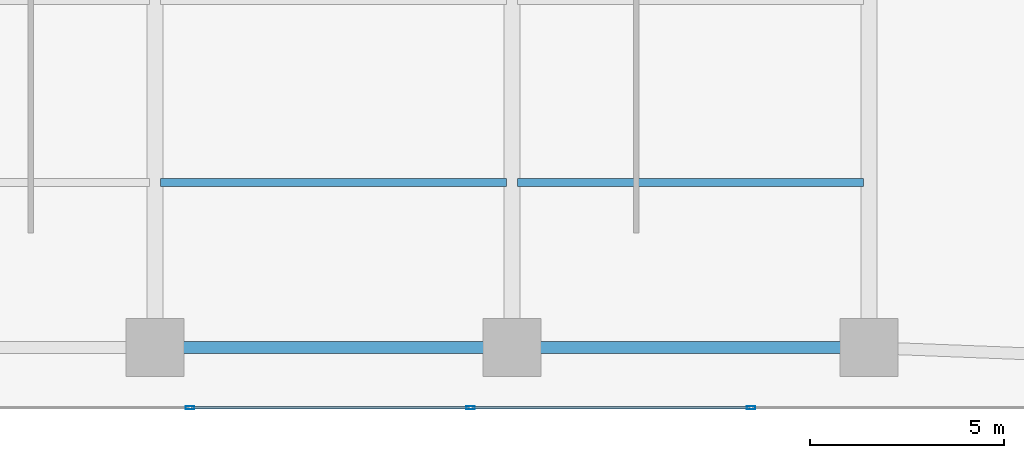
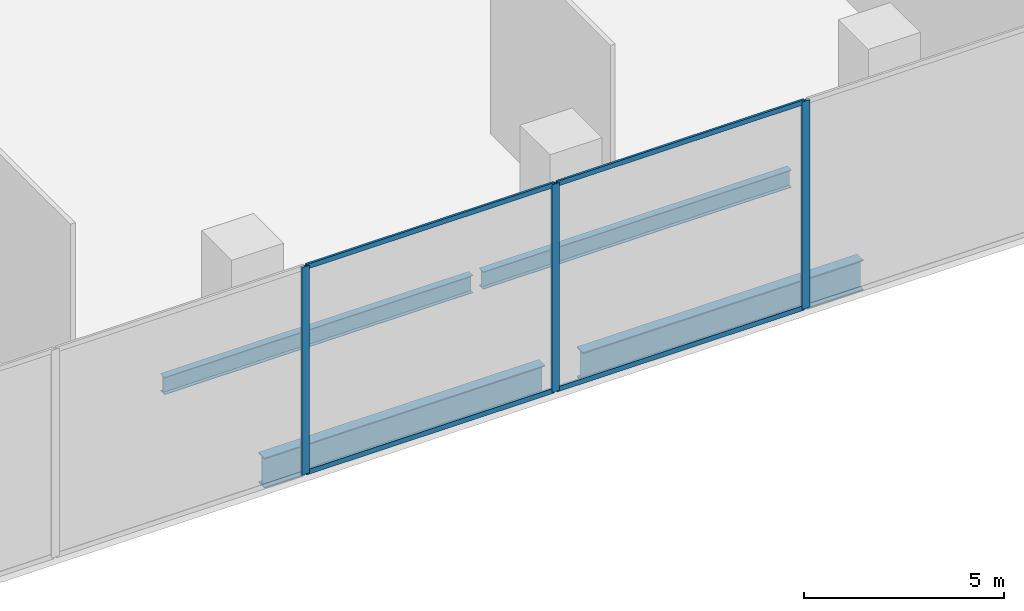
# One storey, part 8 of 30: 7 members, 4 beams, 1 element without a shape of its own.
"""IFC4 building model written with IfcOpenShell, lengths in metres."""

from ifc_helpers import new_model, si_unit, direction, frame, origin, origin_2d, place, context, subcontext, project, spatial, hollow_rectangle, i_section, extrude, material, layer, layer_set, material_profile, profile_set, type_object, element, aggregate, save


model = new_model("IFC4")

# Units and contexts
model_context = context("Model", 3, precision=1e-05, world=origin(), true_north=direction((0.0, 1.0)))
body_context = subcontext(model_context, "Body", "Model", "MODEL_VIEW")
ifc_project = project(units=[si_unit("LENGTHUNIT", "METRE"), si_unit("AREAUNIT", "SQUARE_METRE"), si_unit("VOLUMEUNIT", "CUBIC_METRE"), si_unit("PLANEANGLEUNIT", "RADIAN"), si_unit("MASSUNIT", "GRAM", prefix="KILO")], contexts=[model_context])

# Site, building, storey
site_placement = place(None, origin())
site = spatial("IfcSite", under=ifc_project, at=site_placement, CompositionType="ELEMENT")
building_placement = place(site_placement, origin())
building = spatial("IfcBuilding", under=site, at=building_placement, Name="Zuhayl Quay Hotel", CompositionType="ELEMENT")
storey_placement = place(building_placement, frame((0.0, 0.0, 11.39990234375)))
storey = spatial("IfcBuildingStorey", under=building, at=storey_placement, Name="L02", CompositionType="ELEMENT", Elevation=11.39990234375)

# Beams
ifc_material_1 = material(Name="Steel ASTM A992 Grade 50", Category="steel")
ifc_material_profile_1 = material_profile(ifc_material_1, i_section(OverallWidth=0.208984375, OverallDepth=0.532958984375, WebThickness=0.01025390625, FlangeThickness=0.015625, at=origin_2d()), Name="W21X62")
ifc_profile_set_1 = profile_set([ifc_material_profile_1], Name="Steel ASTM A992 Grade 50")
beam_type_1 = type_object("IfcBeamType", Name="BM_J1_W21X62", PredefinedType="JOIST", material=ifc_profile_set_1)
beam_1_placement = place(storey_placement, frame((-4.45458984375, -18.199951171875, -0.5263671875), z_axis=(1.0, 0.0, 0.0), x_axis=(0.0, 1.0, 0.0)))
element("IfcBeam", 1, at=beam_1_placement, inside=storey, type_object=beam_type_1, Name="L02 Floor Beam J_POD_L02_1_2", PredefinedType="JOIST", context=body_context, shape_type="SweptSolid", body=[
    extrude(i_section(OverallWidth=0.208984375, OverallDepth=0.532958984375, WebThickness=0.01025390625, FlangeThickness=0.015625, at=origin_2d()), origin(), (0.0, 0.0, 1.0), 8.9091796875),
])
beam_2_placement = place(storey_placement, frame((4.74560546875, -18.199951171875, -0.5263671875), z_axis=(1.0, 0.0, 0.0), x_axis=(0.0, 1.0, 0.0)))
element("IfcBeam", 2, at=beam_2_placement, inside=storey, type_object=beam_type_1, Name="L02 Floor Beam J_POD_L02_1_3", PredefinedType="JOIST", context=body_context, shape_type="SweptSolid", body=[
    extrude(i_section(OverallWidth=0.208984375, OverallDepth=0.532958984375, WebThickness=0.01025390625, FlangeThickness=0.015625, at=origin_2d()), origin(), (0.0, 0.0, 1.0), 8.908935546875),
])
ifc_material_profile_2 = material_profile(ifc_material_1, i_section(OverallWidth=0.306884765625, OverallDepth=0.927001953125, WebThickness=0.019287109375, FlangeThickness=0.031982421875, at=origin_2d()), Name="W36X194")
ifc_profile_set_2 = profile_set([ifc_material_profile_2], Name="Steel ASTM A992 Grade 50")
beam_type_2 = type_object("IfcBeamType", Name="BM_PG2_W36X194", PredefinedType="BEAM", material=ifc_profile_set_2)
for number, where, z_axis, x_axis, name in (
    (3, (-4.050048828125, -22.449951171875, -0.723388671875), (1.0, 0.0, 0.0), (0.0, 1.0, 0.0), "L02 Floor Beam PG_S_L02_2"),
    (4, (5.14990234375, -22.449951171875, -0.723388671875), (1.0, 0.0, 0.0), (0.0, 1.0, 0.0), "L02 Floor Beam PG_S_L02_3"),
):
    element("IfcBeam", number, at=place(storey_placement, frame(where, z_axis=z_axis, x_axis=x_axis)), inside=storey, type_object=beam_type_2, Name=name, PredefinedType="BEAM", context=body_context, shape_type="SweptSolid", body=[
        extrude(i_section(OverallWidth=0.306884765625, OverallDepth=0.927001953125, WebThickness=0.019287109375, FlangeThickness=0.031982421875, at=origin_2d()), origin(), (0.0, 0.0, 1.0), 8.10009765625),
    ])

# Curtain wall, members
ifc_material_2 = material(Name="Anodised Aluminium 6063-T6", Category="aluminium")
ifc_layer = layer(ifc_material_2, 0.199951171875, Name="Anodised Aluminium 6063-T6", Category="aluminium")
ifc_layer_set = layer_set([ifc_layer], Name="Anodised Aluminium 6063-T6")
curtain_wall_type = type_object("IfcCurtainWallType", Name="CW_SYS_POD", PredefinedType="USERDEFINED", material=ifc_layer_set)
curtain_wall_placement = place(storey_placement, origin())
curtain_wall = element("IfcCurtainWall", 5, at=curtain_wall_placement, inside=storey, type_object=curtain_wall_type, Name="L02 Curtain Wall ENV_L02_E11_CW2", ObjectType="UNITISED CURTAIN WALL", PredefinedType="USERDEFINED")
ifc_material_3 = material(Name="Black-anodised aluminium 6063-T6", Category="aluminium")
ifc_material_profile_3 = material_profile(ifc_material_3, hollow_rectangle(XDim=0.074951171875, YDim=0.219970703125, WallThickness=0.00390625, at=origin_2d()), Name="ALU220X75")
ifc_profile_set_3 = profile_set([ifc_material_profile_3], Name="Black-anodised aluminium 6063-T6")
member_type_1 = type_object("IfcMemberType", Name="MB_CW_MUL_220", PredefinedType="MULLION", material=ifc_profile_set_3)
member_1_placement = place(storey_placement, frame((10.761962890625, -24.0, 0.0), z_axis=(0.0, 0.0, 1.0), x_axis=(0.0, -1.0, 0.0)))
member_1 = element("IfcMember", 6, at=member_1_placement, type_object=member_type_1, Name="CW-POD mullion 2", PredefinedType="MULLION", context=body_context, shape_type="SweptSolid", body=[
    extrude(hollow_rectangle(XDim=0.074951171875, YDim=0.219970703125, WallThickness=0.00390625, at=origin_2d()), origin(), (0.0, 0.0, 1.0), 6.340087890625),
])
member_2_placement = place(storey_placement, frame((3.533935546875, -24.0, 0.0), z_axis=(0.0, 0.0, 1.0), x_axis=(0.0, -1.0, 0.0)))
member_2 = element("IfcMember", 7, at=member_2_placement, type_object=member_type_1, Name="CW-POD mullion 3", PredefinedType="MULLION", context=body_context, shape_type="SweptSolid", body=[
    extrude(hollow_rectangle(XDim=0.074951171875, YDim=0.219970703125, WallThickness=0.00390625, at=origin_2d()), origin(), (0.0, 0.0, 1.0), 6.340087890625),
])
member_3_placement = place(storey_placement, frame((-3.694091796875, -24.0, 0.0), z_axis=(0.0, 0.0, 1.0), x_axis=(0.0, -1.0, 0.0)))
member_3 = element("IfcMember", 8, at=member_3_placement, type_object=member_type_1, Name="CW-POD mullion 4", PredefinedType="MULLION", context=body_context, shape_type="SweptSolid", body=[
    extrude(hollow_rectangle(XDim=0.074951171875, YDim=0.219970703125, WallThickness=0.00390625, at=origin_2d()), origin(), (0.0, 0.0, 1.0), 6.340087890625),
])
ifc_material_profile_4 = material_profile(ifc_material_3, hollow_rectangle(XDim=0.06005859375, YDim=0.14990234375, WallThickness=0.00341796875, at=origin_2d()), Name="ALU150X60")
ifc_profile_set_4 = profile_set([ifc_material_profile_4], Name="Black-anodised aluminium 6063-T6")
member_type_2 = type_object("IfcMemberType", Name="MB_CW_TRN_150", PredefinedType="USERDEFINED", material=ifc_profile_set_4)
member_4_placement = place(storey_placement, frame((10.724609375, -24.0, 0.030029296875), z_axis=(-1.0, 0.0, 0.0), x_axis=(0.0, -1.0, 0.0)))
member_4 = element("IfcMember", 9, at=member_4_placement, type_object=member_type_2, Name="CW-POD transom 2.1", ObjectType="TRANSOM", PredefinedType="USERDEFINED", context=body_context, shape_type="SweptSolid", body=[
    extrude(hollow_rectangle(XDim=0.06005859375, YDim=0.14990234375, WallThickness=0.00341796875, at=origin_2d()), origin(), (0.0, 0.0, 1.0), 7.153076171875),
])
member_5_placement = place(storey_placement, frame((10.724609375, -24.0, 6.31005859375), z_axis=(-1.0, 0.0, 0.0), x_axis=(0.0, -1.0, 0.0)))
member_5 = element("IfcMember", 10, at=member_5_placement, type_object=member_type_2, Name="CW-POD transom 2.2", ObjectType="TRANSOM", PredefinedType="USERDEFINED", context=body_context, shape_type="SweptSolid", body=[
    extrude(hollow_rectangle(XDim=0.06005859375, YDim=0.14990234375, WallThickness=0.00341796875, at=origin_2d()), origin(), (0.0, 0.0, 1.0), 7.153076171875),
])
member_6_placement = place(storey_placement, frame((3.49658203125, -24.0, 0.030029296875), z_axis=(-1.0, 0.0, 0.0), x_axis=(0.0, -1.0, 0.0)))
member_6 = element("IfcMember", 11, at=member_6_placement, type_object=member_type_2, Name="CW-POD transom 3.1", ObjectType="TRANSOM", PredefinedType="USERDEFINED", context=body_context, shape_type="SweptSolid", body=[
    extrude(hollow_rectangle(XDim=0.06005859375, YDim=0.14990234375, WallThickness=0.00341796875, at=origin_2d()), origin(), (0.0, 0.0, 1.0), 7.153076171875),
])
member_7_placement = place(storey_placement, frame((3.49658203125, -24.0, 6.31005859375), z_axis=(-1.0, 0.0, 0.0), x_axis=(0.0, -1.0, 0.0)))
member_7 = element("IfcMember", 12, at=member_7_placement, type_object=member_type_2, Name="CW-POD transom 3.2", ObjectType="TRANSOM", PredefinedType="USERDEFINED", context=body_context, shape_type="SweptSolid", body=[
    extrude(hollow_rectangle(XDim=0.06005859375, YDim=0.14990234375, WallThickness=0.00341796875, at=origin_2d()), origin(), (0.0, 0.0, 1.0), 7.153076171875),
])
aggregate(curtain_wall, [member_1, member_2, member_3, member_4, member_5, member_6, member_7])

save(model, "model.ifc")
